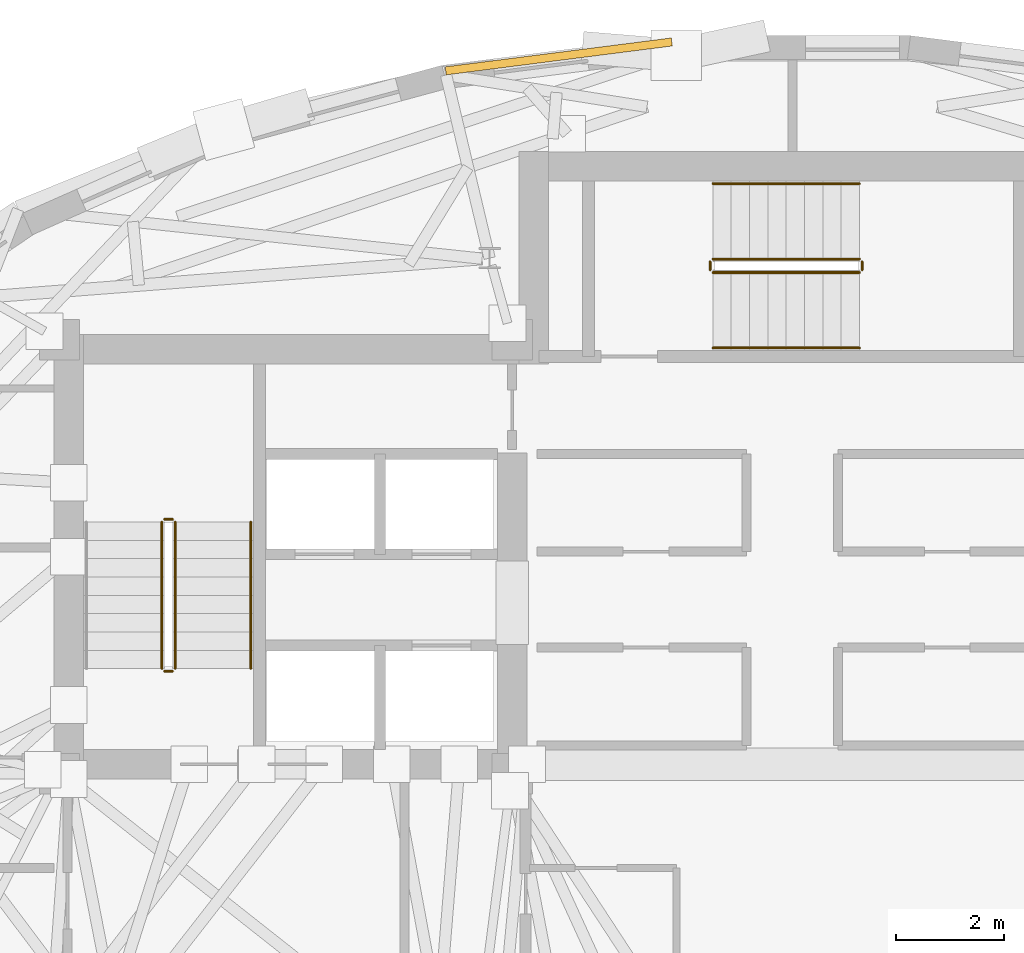
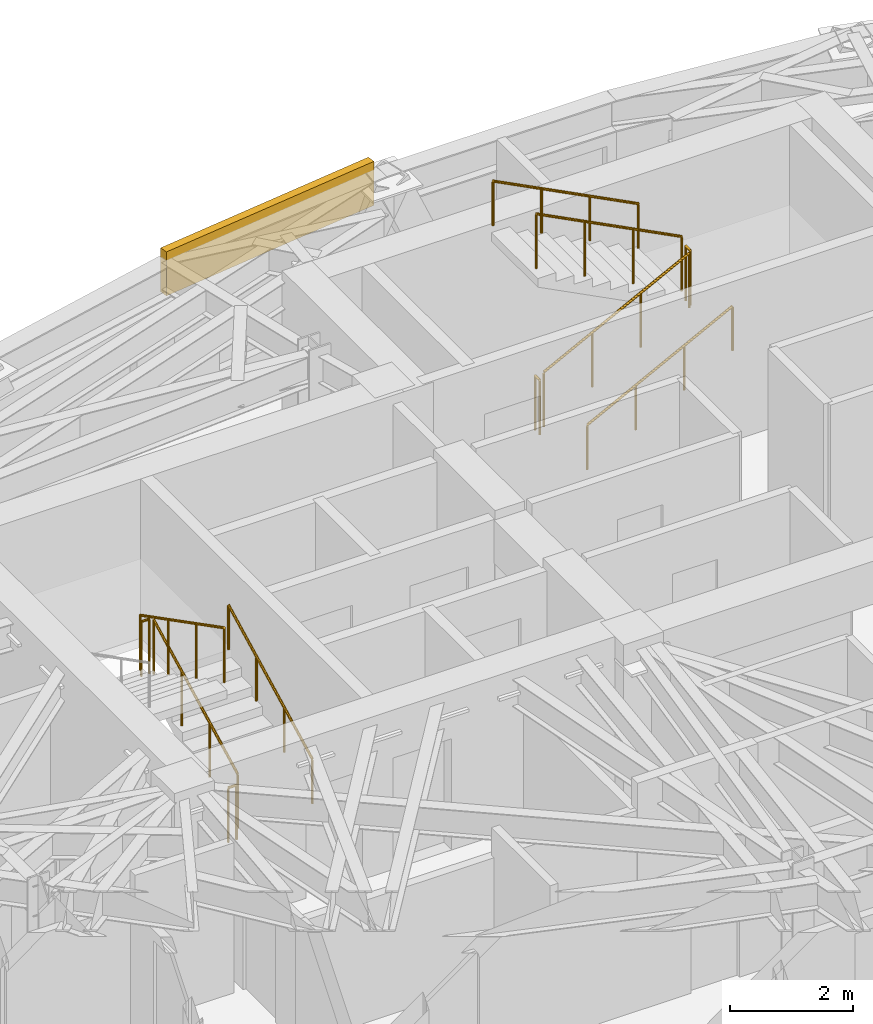
# One storey, part 12 of 13: 11 railings, 1 covering.
"""IFC4 building model written with IfcOpenShell, lengths in metres."""

from ifc_helpers import new_model, si_unit, direction, frame, origin, origin_2d, place, context, subcontext, project, spatial, rectangle, circle, extrude, material, layer, layer_set, type_object, element, save


model = new_model("IFC4")

# Units and contexts
model_context = context("Model", 3, precision=1e-05, world=origin(), true_north=direction((0.0, 1.0)))
body_context = subcontext(model_context, "Body", "Model", "MODEL_VIEW")
ifc_project = project(units=[si_unit("LENGTHUNIT", "METRE"), si_unit("AREAUNIT", "SQUARE_METRE"), si_unit("VOLUMEUNIT", "CUBIC_METRE"), si_unit("PLANEANGLEUNIT", "RADIAN"), si_unit("MASSUNIT", "GRAM", prefix="KILO")], contexts=[model_context])

# Site, building, storey
site_placement = place(None, origin())
site = spatial("IfcSite", under=ifc_project, at=site_placement, CompositionType="ELEMENT")
building_placement = place(site_placement, origin())
building = spatial("IfcBuilding", under=site, at=building_placement, Name="Keldmark Tower", CompositionType="ELEMENT")
storey_placement = place(building_placement, frame((0.0, 0.0, 232.050048828125)))
storey = spatial("IfcBuildingStorey", under=building, at=storey_placement, Name="L65", CompositionType="ELEMENT", Elevation=232.050048828125)

# Covering
ifc_material_1 = material(Name="Honed Kasota Buff Dolomitic Limestone", Category="masonry")
ifc_layer = layer(ifc_material_1, 0.074951171875)
ifc_layer_set = layer_set([ifc_layer], Name="Honed Kasota Buff Dolomitic Limestone")
covering_type = type_object("IfcCoveringType", Name="Kasota Buff Limestone Spandrel Cladding Band", PredefinedType="CLADDING", material=ifc_layer_set)
covering_placement = place(storey_placement, frame((-4.3349609375, 14.710205078125, 2.260009765625), z_axis=(0.0, 0.0, 1.0), x_axis=(-0.991934312165, -0.126752989507, 0.0)))
element("IfcCovering", 1, at=covering_placement, inside=storey, type_object=covering_type, Name="L65 Kasota Limestone Spandrel Band 09", PredefinedType="CLADDING", context=body_context, shape_type="SweptSolid", body=[
    extrude(rectangle(XDim=4.228515625, YDim=0.14990234375, at=origin_2d()), origin(), (0.0, 0.0, 1.0), 0.8701171875),
])

# Railings
ifc_material_2 = material(Name="Painted Steel ASTM A500 Grade B", Category="steel")
railing_type_1 = type_object("IfcRailingType", Name="Painted Steel Stair Well Guard 1100 mm", PredefinedType="GUARDRAIL", material=ifc_material_2)
railing_1_placement = place(storey_placement, frame((-11.449951171875, 3.35009765625, 0.175048828125)))
element("IfcRailing", 2, at=railing_1_placement, inside=storey, type_object=railing_type_1, Name="L65 ST1 stair guard 1", PredefinedType="GUARDRAIL", context=body_context, shape_type="SweptSolid", body=[
    extrude(circle(Radius=0.02392578125, at=origin_2d()), frame((0.0, 0.0, 1.076171875), z_axis=(0.0, 0.889146794209, 0.457622091194), x_axis=(-1.0, 0.0, 0.0)), (0.0, 0.0, 1.0), 3.05908203125),
    extrude(circle(Radius=0.02099609375, at=origin_2d()), origin(), (0.0, 0.0, 1.0), 1.052001953125),
    extrude(circle(Radius=0.02099609375, at=origin_2d()), frame((0.0, 0.90673828125, 0.466552734375)), (0.0, 0.0, 1.0), 1.052001953125),
    extrude(circle(Radius=0.02099609375, at=origin_2d()), frame((0.0, 1.813232421875, 0.933349609375)), (0.0, 0.0, 1.0), 1.052001953125),
    extrude(circle(Radius=0.02099609375, at=origin_2d()), frame((0.0, 2.719970703125, 1.39990234375)), (0.0, 0.0, 1.0), 1.052001953125),
])
railing_2_placement = place(storey_placement, frame((-11.5, 6.1201171875, 1.574951171875)))
element("IfcRailing", 3, at=railing_2_placement, inside=storey, type_object=railing_type_1, Name="L65 ST1 stair guard 2", PredefinedType="GUARDRAIL", context=body_context, shape_type="SweptSolid", body=[
    extrude(circle(Radius=0.02392578125, at=origin_2d()), frame((0.0, 0.0, 1.076171875), z_axis=(-1.0, 0.0, 0.0), x_axis=(0.0, -1.0, 0.0)), (0.0, 0.0, 1.0), 0.14990234375),
    extrude(circle(Radius=0.02099609375, at=origin_2d()), origin(), (0.0, 0.0, 1.0), 1.052001953125),
    extrude(circle(Radius=0.02099609375, at=origin_2d()), frame((-0.14990234375, 0.0, 0.0)), (0.0, 0.0, 1.0), 1.052001953125),
])
railing_3_placement = place(storey_placement, frame((-11.699951171875, 6.070068359375, 1.75)))
element("IfcRailing", 4, at=railing_3_placement, inside=storey, type_object=railing_type_1, Name="L65 ST1 stair guard 3", PredefinedType="GUARDRAIL", context=body_context, shape_type="SweptSolid", body=[
    extrude(circle(Radius=0.02392578125, at=origin_2d()), frame((0.0, 0.0, 1.076171875), z_axis=(0.0, -0.889146794209, 0.457622091194), x_axis=(1.0, 0.0, 0.0)), (0.0, 0.0, 1.0), 3.05908203125),
    extrude(circle(Radius=0.02099609375, at=origin_2d()), origin(), (0.0, 0.0, 1.0), 1.052001953125),
    extrude(circle(Radius=0.02099609375, at=origin_2d()), frame((0.0, -0.90673828125, 0.466552734375)), (0.0, 0.0, 1.0), 1.052001953125),
    extrude(circle(Radius=0.02099609375, at=origin_2d()), frame((0.0, -1.813232421875, 0.933349609375)), (0.0, 0.0, 1.0), 1.052001953125),
    extrude(circle(Radius=0.02099609375, at=origin_2d()), frame((0.0, -2.719970703125, 1.39990234375)), (0.0, 0.0, 1.0), 1.052001953125),
])
railing_4_placement = place(storey_placement, frame((-11.5, 3.300048828125, 0.0)))
element("IfcRailing", 5, at=railing_4_placement, inside=storey, type_object=railing_type_1, Name="L65 ST1 stair guard 4", PredefinedType="GUARDRAIL", context=body_context, shape_type="SweptSolid", body=[
    extrude(circle(Radius=0.02392578125, at=origin_2d()), frame((0.0, 0.0, 1.076171875), z_axis=(-1.0, 0.0, 0.0), x_axis=(0.0, -1.0, 0.0)), (0.0, 0.0, 1.0), 0.14990234375),
    extrude(circle(Radius=0.02099609375, at=origin_2d()), origin(), (0.0, 0.0, 1.0), 1.052001953125),
    extrude(circle(Radius=0.02099609375, at=origin_2d()), frame((-0.14990234375, 0.0, 0.0)), (0.0, 0.0, 1.0), 1.052001953125),
])
railing_5_placement = place(storey_placement, frame((-1.47509765625, 10.699951171875, 0.175048828125)))
element("IfcRailing", 6, at=railing_5_placement, inside=storey, type_object=railing_type_1, Name="L65 ST3 stair guard 1", PredefinedType="GUARDRAIL", context=body_context, shape_type="SweptSolid", body=[
    extrude(circle(Radius=0.02392578125, at=origin_2d()), frame((0.0, 0.0, 1.076171875), z_axis=(0.88916350577, 0.0, 0.457589619645), x_axis=(0.0, 1.0, 0.0)), (0.0, 0.0, 1.0), 3.059326171875),
    extrude(circle(Radius=0.02099609375, at=origin_2d()), origin(), (0.0, 0.0, 1.0), 1.052001953125),
    extrude(circle(Radius=0.02099609375, at=origin_2d()), frame((0.90673828125, 0.0, 0.466552734375)), (0.0, 0.0, 1.0), 1.052001953125),
    extrude(circle(Radius=0.02099609375, at=origin_2d()), frame((1.8134765625, 0.0, 0.933349609375)), (0.0, 0.0, 1.0), 1.052001953125),
    extrude(circle(Radius=0.02099609375, at=origin_2d()), frame((2.72021484375, 0.0, 1.39990234375)), (0.0, 0.0, 1.0), 1.052001953125),
])
railing_6_placement = place(storey_placement, frame((1.294921875, 10.75, 1.574951171875)))
element("IfcRailing", 7, at=railing_6_placement, inside=storey, type_object=railing_type_1, Name="L65 ST3 stair guard 2", PredefinedType="GUARDRAIL", context=body_context, shape_type="SweptSolid", body=[
    extrude(circle(Radius=0.02392578125, at=origin_2d()), frame((0.0, 0.0, 1.076171875), z_axis=(0.0, 1.0, 0.0), x_axis=(-1.0, 0.0, 0.0)), (0.0, 0.0, 1.0), 0.14990234375),
    extrude(circle(Radius=0.02099609375, at=origin_2d()), origin(), (0.0, 0.0, 1.0), 1.052001953125),
    extrude(circle(Radius=0.02099609375, at=origin_2d()), frame((0.0, 0.14990234375, 0.0)), (0.0, 0.0, 1.0), 1.052001953125),
])
railing_7_placement = place(storey_placement, frame((1.2451171875, 10.949951171875, 1.75)))
element("IfcRailing", 8, at=railing_7_placement, inside=storey, type_object=railing_type_1, Name="L65 ST3 stair guard 3", PredefinedType="GUARDRAIL", context=body_context, shape_type="SweptSolid", body=[
    extrude(circle(Radius=0.02392578125, at=origin_2d()), frame((0.0, 0.0, 1.076171875), z_axis=(-0.88916350577, 0.0, 0.457589619645), x_axis=(0.0, -1.0, 0.0)), (0.0, 0.0, 1.0), 3.059326171875),
    extrude(circle(Radius=0.02099609375, at=origin_2d()), origin(), (0.0, 0.0, 1.0), 1.052001953125),
    extrude(circle(Radius=0.02099609375, at=origin_2d()), frame((-0.90673828125, 0.0, 0.466552734375)), (0.0, 0.0, 1.0), 1.052001953125),
    extrude(circle(Radius=0.02099609375, at=origin_2d()), frame((-1.8134765625, 0.0, 0.933349609375)), (0.0, 0.0, 1.0), 1.052001953125),
    extrude(circle(Radius=0.02099609375, at=origin_2d()), frame((-2.72021484375, 0.0, 1.39990234375)), (0.0, 0.0, 1.0), 1.052001953125),
])
railing_8_placement = place(storey_placement, frame((-1.52490234375, 10.75, 0.0)))
element("IfcRailing", 9, at=railing_8_placement, inside=storey, type_object=railing_type_1, Name="L65 ST3 stair guard 4", PredefinedType="GUARDRAIL", context=body_context, shape_type="SweptSolid", body=[
    extrude(circle(Radius=0.02392578125, at=origin_2d()), frame((0.0, 0.0, 1.076171875), z_axis=(0.0, 1.0, 0.0), x_axis=(-1.0, 0.0, 0.0)), (0.0, 0.0, 1.0), 0.14990234375),
    extrude(circle(Radius=0.02099609375, at=origin_2d()), origin(), (0.0, 0.0, 1.0), 1.052001953125),
    extrude(circle(Radius=0.02099609375, at=origin_2d()), frame((0.0, 0.14990234375, 0.0)), (0.0, 0.0, 1.0), 1.052001953125),
])
ifc_material_3 = material(Name="Stainless Steel AISI 316L", Category="steel")
railing_type_2 = type_object("IfcRailingType", Name="Stainless Steel Stair Handrail 900 mm", PredefinedType="HANDRAIL", material=ifc_material_3)
railing_9_placement = place(storey_placement, frame((-10.050048828125, 3.35009765625, 0.175048828125)))
element("IfcRailing", 10, at=railing_9_placement, inside=storey, type_object=railing_type_2, Name="L65 ST1 stair handrail 1", PredefinedType="HANDRAIL", context=body_context, shape_type="SweptSolid", body=[
    extrude(circle(Radius=0.02392578125, at=origin_2d()), frame((0.0, 0.0, 0.8759765625), z_axis=(0.0, 0.889146794209, 0.457622091194), x_axis=(-1.0, 0.0, 0.0)), (0.0, 0.0, 1.0), 3.05908203125),
    extrude(circle(Radius=0.02099609375, at=origin_2d()), origin(), (0.0, 0.0, 1.0), 0.851806640625),
    extrude(circle(Radius=0.02099609375, at=origin_2d()), frame((0.0, 0.90673828125, 0.466552734375)), (0.0, 0.0, 1.0), 0.851806640625),
    extrude(circle(Radius=0.02099609375, at=origin_2d()), frame((0.0, 1.813232421875, 0.933349609375)), (0.0, 0.0, 1.0), 0.851806640625),
    extrude(circle(Radius=0.02099609375, at=origin_2d()), frame((0.0, 2.719970703125, 1.39990234375)), (0.0, 0.0, 1.0), 0.851806640625),
])
railing_10_placement = place(storey_placement, frame((-1.47509765625, 9.300048828125, 0.175048828125)))
element("IfcRailing", 11, at=railing_10_placement, inside=storey, type_object=railing_type_2, Name="L65 ST3 stair handrail 1", PredefinedType="HANDRAIL", context=body_context, shape_type="SweptSolid", body=[
    extrude(circle(Radius=0.02392578125, at=origin_2d()), frame((0.0, 0.0, 0.8759765625), z_axis=(0.88916350577, 0.0, 0.457589619645), x_axis=(0.0, 1.0, 0.0)), (0.0, 0.0, 1.0), 3.059326171875),
    extrude(circle(Radius=0.02099609375, at=origin_2d()), origin(), (0.0, 0.0, 1.0), 0.851806640625),
    extrude(circle(Radius=0.02099609375, at=origin_2d()), frame((0.90673828125, 0.0, 0.466552734375)), (0.0, 0.0, 1.0), 0.851806640625),
    extrude(circle(Radius=0.02099609375, at=origin_2d()), frame((1.8134765625, 0.0, 0.933349609375)), (0.0, 0.0, 1.0), 0.851806640625),
    extrude(circle(Radius=0.02099609375, at=origin_2d()), frame((2.72021484375, 0.0, 1.39990234375)), (0.0, 0.0, 1.0), 0.851806640625),
])
railing_11_placement = place(storey_placement, frame((1.2451171875, 12.35009765625, 1.75)))
element("IfcRailing", 12, at=railing_11_placement, inside=storey, type_object=railing_type_2, Name="L65 ST3 stair handrail 2", PredefinedType="HANDRAIL", context=body_context, shape_type="SweptSolid", body=[
    extrude(circle(Radius=0.02392578125, at=origin_2d()), frame((0.0, 0.0, 0.8759765625), z_axis=(-0.88916350577, 0.0, 0.457589619645), x_axis=(0.0, -1.0, 0.0)), (0.0, 0.0, 1.0), 3.059326171875),
    extrude(circle(Radius=0.02099609375, at=origin_2d()), origin(), (0.0, 0.0, 1.0), 0.851806640625),
    extrude(circle(Radius=0.02099609375, at=origin_2d()), frame((-0.90673828125, 0.0, 0.466552734375)), (0.0, 0.0, 1.0), 0.851806640625),
    extrude(circle(Radius=0.02099609375, at=origin_2d()), frame((-1.8134765625, 0.0, 0.933349609375)), (0.0, 0.0, 1.0), 0.851806640625),
    extrude(circle(Radius=0.02099609375, at=origin_2d()), frame((-2.72021484375, 0.0, 1.39990234375)), (0.0, 0.0, 1.0), 0.851806640625),
])

save(model, "model.ifc")
